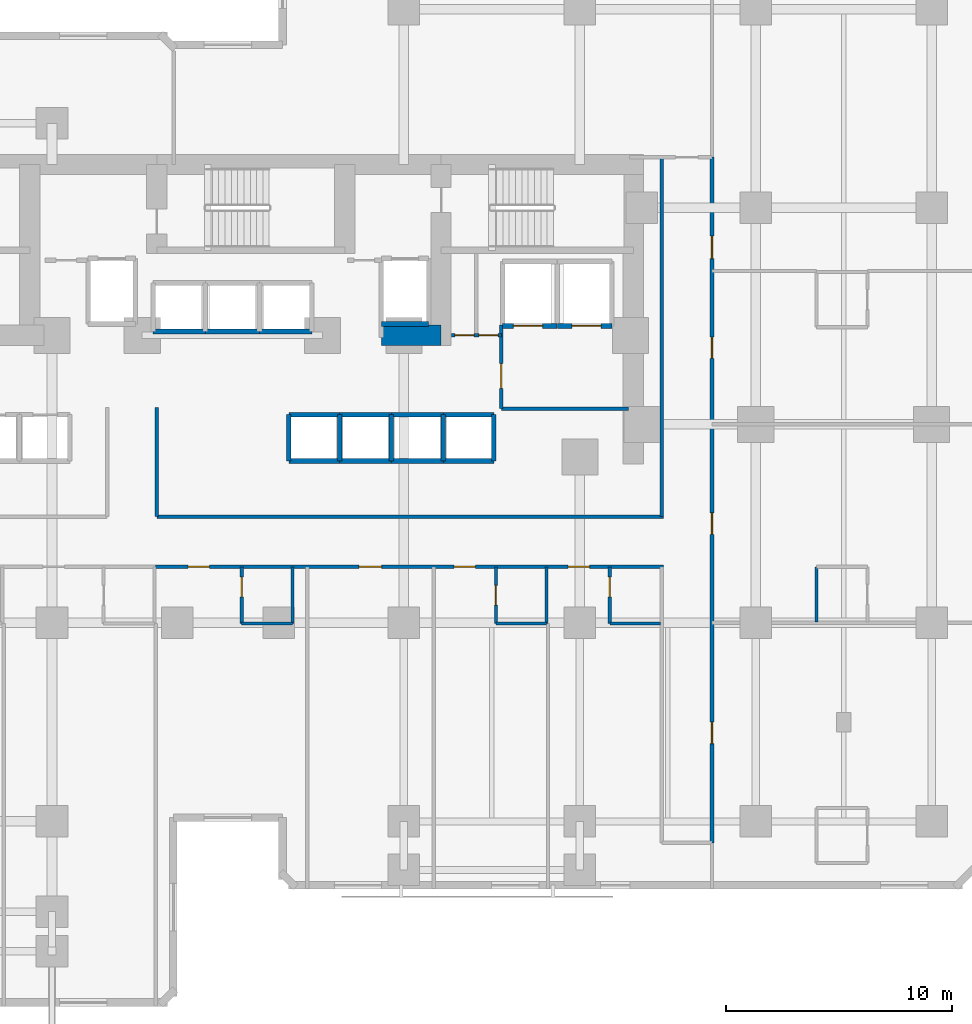
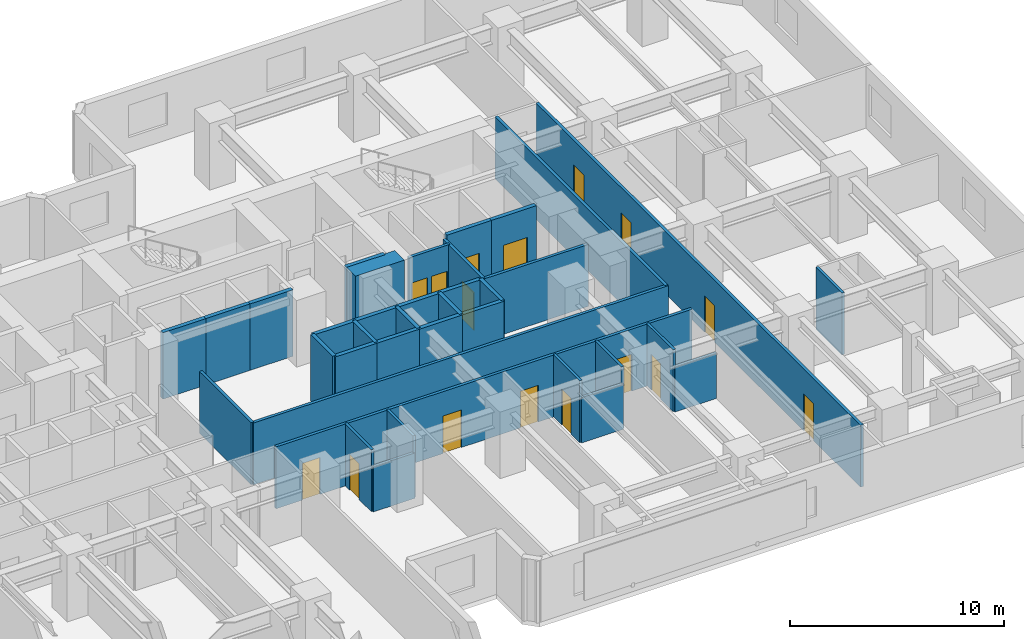
# One storey, part 7 of 12: 37 walls, 16 doors, 16 openings.
"""IFC4 building model written with IfcOpenShell, lengths in metres."""

from ifc_helpers import new_model, si_unit, direction, frame, frame_2d, origin, place, context, subcontext, project, spatial, rectangle, extrude, material, layer, layer_set, type_object, element, fill, save


model = new_model("IFC4")

# Units and contexts
model_context = context("Model", 3, precision=1e-05, world=origin(), true_north=direction((0.0, 1.0)))
body_context = subcontext(model_context, "Body", "Model", "MODEL_VIEW")
ifc_project = project(units=[si_unit("LENGTHUNIT", "METRE"), si_unit("AREAUNIT", "SQUARE_METRE"), si_unit("VOLUMEUNIT", "CUBIC_METRE"), si_unit("PLANEANGLEUNIT", "RADIAN"), si_unit("MASSUNIT", "GRAM", prefix="KILO")], contexts=[model_context])

# Site, building, storey
site_placement = place(None, origin())
site = spatial("IfcSite", under=ifc_project, at=site_placement, CompositionType="ELEMENT")
building_placement = place(site_placement, origin())
building = spatial("IfcBuilding", under=site, at=building_placement, Name="Kestravale Grand Hotel", CompositionType="ELEMENT")
storey_placement = place(building_placement, frame((0.0, 0.0, 26.0)))
storey = spatial("IfcBuildingStorey", under=building, at=storey_placement, Name="L05", CompositionType="ELEMENT", Elevation=26.0)

# Wall
ifc_material_1 = material(Name="Concrete f'c 70 MPa", Category="concrete")
ifc_layer_1 = layer(ifc_material_1, 0.89990234375)
ifc_layer_set_1 = layer_set([ifc_layer_1], Name="EW-CORE-900")
wall_type_1 = type_object("IfcWallType", Name="EW-CORE-900", PredefinedType="SHEAR", material=ifc_layer_set_1)
wall_1_placement = place(storey_placement, frame((45.81005859375, 32.75, 0.0), z_axis=(0.0, 0.0, 1.0), x_axis=(1.0, 0.0, 0.0)))
element("IfcWall", 1, at=wall_1_placement, inside=storey, type_object=wall_type_1, Name="L05 core shear wall S2", PredefinedType="SHEAR", context=body_context, shape_type="SweptSolid", body=[
    extrude(rectangle(XDim=2.639892578125, YDim=0.89990234375, at=frame_2d((1.31982421875, 0.0))), origin(), (0.0, 0.0, 1.0), 3.800048828125),
])

# Wall, opening, door
ifc_material_2 = material(Name="Acoustic fire-rated gypsum board partition", Category="other")
ifc_layer_2 = layer(ifc_material_2, 0.159912109375)
ifc_layer_set_2 = layer_set([ifc_layer_2], Name="IW-CORR-160")
wall_type_2 = type_object("IfcWallType", Name="IW-CORR-160", PredefinedType="PARTITIONING", material=ifc_layer_set_2)
wall_2_placement = place(storey_placement, frame((51.1201171875, 29.5, 0.0), z_axis=(0.0, 0.0, 1.0), x_axis=(0.0, 1.0, 0.0)))
wall_2 = element("IfcWall", 2, at=wall_2_placement, inside=storey, type_object=wall_type_2, Name="W-L05-SVCLOB-W", PredefinedType="PARTITIONING", context=body_context, shape_type="SweptSolid", body=[
    extrude(rectangle(XDim=3.699951171875, YDim=0.159912109375, at=frame_2d((1.85009765625, 0.0))), origin(), (0.0, 0.0, 1.0), 3.5400390625),
])
opening_1_placement = place(wall_2_placement, frame((0.89990234375, 0.0, 0.0)))
opening_1 = element("IfcOpeningElement", 3, at=opening_1_placement, cuts=wall_2, Name="Opening D-CORR-1100", PredefinedType="OPENING", context=body_context, shape_type="SweptSolid", body=[
    extrude(rectangle(XDim=1.10009765625, YDim=2.14990234375, at=frame_2d((0.550048828125, 1.074951171875))), frame((0.0, 0.08984375, 0.0), z_axis=(0.0, -1.0, 0.0), x_axis=(1.0, 0.0, 0.0)), (0.0, 0.0, 1.0), 0.179931640625),
])
ifc_material_3 = material(Name="Single-leaf service vestibule fire door", Category="steel")
door_type_1 = type_object("IfcDoorType", Name="D-CORR-1100", OperationType="NOTDEFINED", PredefinedType="DOOR", material=ifc_material_3)
door_1_placement = place(opening_1_placement, origin())
door_1 = element("IfcDoor", 4, at=door_1_placement, inside=storey, type_object=door_type_1, Name="L05 service lift lobby door", OperationType="SINGLE_SWING_LEFT", OverallHeight=2.14990234375, OverallWidth=1.10009765625, PredefinedType="DOOR", context=body_context, shape_type="SweptSolid", body=[
    extrude(rectangle(XDim=1.10009765625, YDim=2.14990234375, at=frame_2d((0.550048828125, 1.074951171875))), frame((0.0, 0.02490234375, 0.0), z_axis=(0.0, -1.0, 0.0), x_axis=(1.0, 0.0, 0.0)), (0.0, 0.0, 1.0), 0.050048828125),
])
fill(opening_1, door_1)

# Wall
wall_3_placement = place(storey_placement, frame((51.1201171875, 29.5, 0.0), z_axis=(0.0, 0.0, 1.0), x_axis=(1.0, 0.0, 0.0)))
element("IfcWall", 5, at=wall_3_placement, inside=storey, type_object=wall_type_2, Name="L05 service lift lobby wall", PredefinedType="PARTITIONING", context=body_context, shape_type="SweptSolid", body=[
    extrude(rectangle(XDim=5.6298828125, YDim=0.159912109375, at=frame_2d((2.81494140625, 0.0))), origin(), (0.0, 0.0, 1.0), 3.5400390625),
])

# Wall, openings, doors
wall_4_placement = place(storey_placement, frame((48.919921875, 32.75, 0.0), z_axis=(0.0, 0.0, 1.0), x_axis=(1.0, 0.0, 0.0)))
wall_4 = element("IfcWall", 6, at=wall_4_placement, inside=storey, type_object=wall_type_2, Name="W-L05-CES", PredefinedType="PARTITIONING", context=body_context, shape_type="SweptSolid", body=[
    extrude(rectangle(XDim=2.2001953125, YDim=0.159912109375, at=frame_2d((1.10009765625, 0.0))), origin(), (0.0, 0.0, 1.0), 3.5400390625),
])
opening_2_placement = place(wall_4_placement, frame((0.139892578125, 0.0, 0.0)))
opening_2 = element("IfcOpeningElement", 7, at=opening_2_placement, cuts=wall_4, Name="Opening D-SH-860", PredefinedType="OPENING", context=body_context, shape_type="SweptSolid", body=[
    extrude(rectangle(XDim=0.860107421875, YDim=2.050048828125, at=frame_2d((0.43017578125, 1.02490234375))), frame((0.0, 0.08984375, 0.0), z_axis=(0.0, -1.0, 0.0), x_axis=(1.0, 0.0, 0.0)), (0.0, 0.0, 1.0), 0.179931640625),
])
opening_3_placement = place(wall_4_placement, frame((1.199951171875, 0.0, 0.0)))
opening_3 = element("IfcOpeningElement", 8, at=opening_3_placement, cuts=wall_4, Name="Opening D-SH-860", PredefinedType="OPENING", context=body_context, shape_type="SweptSolid", body=[
    extrude(rectangle(XDim=0.860107421875, YDim=2.050048828125, at=frame_2d((0.43017578125, 1.02490234375))), frame((0.0, 0.08984375, 0.0), z_axis=(0.0, -1.0, 0.0), x_axis=(1.0, 0.0, 0.0)), (0.0, 0.0, 1.0), 0.179931640625),
])
ifc_material_4 = material(Name="Galvanised 90-minute riser fire door", Category="steel")
door_type_2 = type_object("IfcDoorType", Name="D-SH-860", OperationType="NOTDEFINED", PredefinedType="DOOR", material=ifc_material_4)
door_2_placement = place(opening_2_placement, origin())
door_2 = element("IfcDoor", 9, at=door_2_placement, inside=storey, type_object=door_type_2, Name="L05 CSTO1 door", OperationType="SINGLE_SWING_LEFT", OverallHeight=2.050048828125, OverallWidth=0.860107421875, PredefinedType="DOOR", context=body_context, shape_type="SweptSolid", body=[
    extrude(rectangle(XDim=0.860107421875, YDim=2.050048828125, at=frame_2d((0.43017578125, 1.02490234375))), frame((0.0, 0.02490234375, 0.0), z_axis=(0.0, -1.0, 0.0), x_axis=(1.0, 0.0, 0.0)), (0.0, 0.0, 1.0), 0.050048828125),
])
fill(opening_2, door_2)
door_3_placement = place(opening_3_placement, origin())
door_3 = element("IfcDoor", 10, at=door_3_placement, inside=storey, type_object=door_type_2, Name="L05 CSTO2 door", OperationType="SINGLE_SWING_RIGHT", OverallHeight=2.050048828125, OverallWidth=0.860107421875, PredefinedType="DOOR", context=body_context, shape_type="SweptSolid", body=[
    extrude(rectangle(XDim=0.860107421875, YDim=2.050048828125, at=frame_2d((0.43017578125, 1.02490234375))), frame((0.0, 0.02490234375, 0.0), z_axis=(0.0, -1.0, 0.0), x_axis=(1.0, 0.0, 0.0)), (0.0, 0.0, 1.0), 0.050048828125),
])
fill(opening_3, door_3)

# Walls
wall_5_placement = place(storey_placement, frame((35.85009765625, 24.7099609375, 0.0), z_axis=(0.0, 0.0, 1.0), x_axis=(1.0, 0.0, 0.0)))
element("IfcWall", 11, at=wall_5_placement, inside=storey, type_object=wall_type_2, Name="W-L05-CE-N", PredefinedType="PARTITIONING", context=body_context, shape_type="SweptSolid", body=[
    extrude(rectangle(XDim=22.449951171875, YDim=0.159912109375, at=frame_2d((11.22509765625, 0.0))), origin(), (0.0, 0.0, 1.0), 3.5400390625),
])
wall_6_placement = place(storey_placement, frame((35.85009765625, 24.7099609375, 0.0), z_axis=(0.0, 0.0, 1.0), x_axis=(0.0, 1.0, 0.0)))
element("IfcWall", 12, at=wall_6_placement, inside=storey, type_object=wall_type_2, Name="W-L05-TRUNK-E", PredefinedType="PARTITIONING", context=body_context, shape_type="SweptSolid", body=[
    extrude(rectangle(XDim=4.840087890625, YDim=0.159912109375, at=frame_2d((2.419921875, 0.0))), origin(), (0.0, 0.0, 1.0), 3.5400390625),
])

# Wall, openings, doors
wall_7_placement = place(storey_placement, frame((35.800048828125, 22.489990234375, 0.0), z_axis=(0.0, 0.0, 1.0), x_axis=(1.0, 0.0, 0.0)))
wall_7 = element("IfcWall", 13, at=wall_7_placement, inside=storey, type_object=wall_type_2, Name="W-L05-CE-S", PredefinedType="PARTITIONING", context=body_context, shape_type="SweptSolid", body=[
    extrude(rectangle(XDim=22.5, YDim=0.159912109375, at=frame_2d((11.25, 0.0))), origin(), (0.0, 0.0, 1.0), 3.5400390625),
])
opening_4_placement = place(wall_7_placement, frame((1.429931640625, 0.0, 0.0)))
opening_4 = element("IfcOpeningElement", 14, at=opening_4_placement, cuts=wall_7, Name="Opening D-GUEST-950", PredefinedType="OPENING", context=body_context, shape_type="SweptSolid", body=[
    extrude(rectangle(XDim=0.949951171875, YDim=2.10009765625, at=frame_2d((0.47509765625, 1.050048828125))), frame((0.0, 0.08984375, 0.0), z_axis=(0.0, -1.0, 0.0), x_axis=(1.0, 0.0, 0.0)), (0.0, 0.0, 1.0), 0.179931640625),
])
opening_5_placement = place(wall_7_placement, frame((9.014892578125, 0.0, 0.0)))
opening_5 = element("IfcOpeningElement", 15, at=opening_5_placement, cuts=wall_7, Name="Opening D-GUEST-1000", PredefinedType="OPENING", context=body_context, shape_type="SweptSolid", body=[
    extrude(rectangle(XDim=1.0, YDim=2.14990234375, at=frame_2d((0.5, 1.074951171875))), frame((0.0, 0.08984375, 0.0), z_axis=(0.0, -1.0, 0.0), x_axis=(1.0, 0.0, 0.0)), (0.0, 0.0, 1.0), 0.179931640625),
])
opening_6_placement = place(wall_7_placement, frame((13.22509765625, 0.0, 0.0)))
opening_6 = element("IfcOpeningElement", 16, at=opening_6_placement, cuts=wall_7, Name="Opening D-GUEST-950", PredefinedType="OPENING", context=body_context, shape_type="SweptSolid", body=[
    extrude(rectangle(XDim=0.949951171875, YDim=2.10009765625, at=frame_2d((0.47509765625, 1.050048828125))), frame((0.0, 0.08984375, 0.0), z_axis=(0.0, -1.0, 0.0), x_axis=(1.0, 0.0, 0.0)), (0.0, 0.0, 1.0), 0.179931640625),
])
opening_7_placement = place(wall_7_placement, frame((18.284912109375, 0.0, 0.0)))
opening_7 = element("IfcOpeningElement", 17, at=opening_7_placement, cuts=wall_7, Name="Opening D-GUEST-950", PredefinedType="OPENING", context=body_context, shape_type="SweptSolid", body=[
    extrude(rectangle(XDim=0.949951171875, YDim=2.10009765625, at=frame_2d((0.47509765625, 1.050048828125))), frame((0.0, 0.08984375, 0.0), z_axis=(0.0, -1.0, 0.0), x_axis=(1.0, 0.0, 0.0)), (0.0, 0.0, 1.0), 0.179931640625),
])
ifc_material_5 = material(Name="Accessible walnut veneer hotel entrance fire door", Category="wood")
door_type_3 = type_object("IfcDoorType", Name="D-GUEST-1000", OperationType="NOTDEFINED", PredefinedType="DOOR", material=ifc_material_5)
door_4_placement = place(opening_5_placement, origin())
door_4 = element("IfcDoor", 18, at=door_4_placement, inside=storey, type_object=door_type_3, Name="D-L05-AME", OperationType="SINGLE_SWING_RIGHT", OverallHeight=2.14990234375, OverallWidth=1.0, PredefinedType="DOOR", context=body_context, shape_type="SweptSolid", body=[
    extrude(rectangle(XDim=1.0, YDim=2.14990234375, at=frame_2d((0.5, 1.074951171875))), frame((0.0, 0.02490234375, 0.0), z_axis=(0.0, -1.0, 0.0), x_axis=(1.0, 0.0, 0.0)), (0.0, 0.0, 1.0), 0.050048828125),
])
fill(opening_5, door_4)
ifc_material_6 = material(Name="Walnut veneer hotel guestroom entrance fire door", Category="wood")
door_type_4 = type_object("IfcDoorType", Name="D-GUEST-950", OperationType="NOTDEFINED", PredefinedType="DOOR", material=ifc_material_6)
door_5_placement = place(opening_4_placement, origin())
door_5 = element("IfcDoor", 19, at=door_5_placement, inside=storey, type_object=door_type_4, Name="D-L05-U03-ENT", OperationType="SINGLE_SWING_LEFT", OverallHeight=2.10009765625, OverallWidth=0.949951171875, PredefinedType="DOOR", context=body_context, shape_type="SweptSolid", body=[
    extrude(rectangle(XDim=0.949951171875, YDim=2.10009765625, at=frame_2d((0.47509765625, 1.050048828125))), frame((0.0, 0.02490234375, 0.0), z_axis=(0.0, -1.0, 0.0), x_axis=(1.0, 0.0, 0.0)), (0.0, 0.0, 1.0), 0.050048828125),
])
fill(opening_4, door_5)
door_6_placement = place(opening_6_placement, origin())
door_6 = element("IfcDoor", 20, at=door_6_placement, inside=storey, type_object=door_type_4, Name="D-L05-U04-ENT", OperationType="SINGLE_SWING_RIGHT", OverallHeight=2.10009765625, OverallWidth=0.949951171875, PredefinedType="DOOR", context=body_context, shape_type="SweptSolid", body=[
    extrude(rectangle(XDim=0.949951171875, YDim=2.10009765625, at=frame_2d((0.47509765625, 1.050048828125))), frame((0.0, 0.02490234375, 0.0), z_axis=(0.0, -1.0, 0.0), x_axis=(1.0, 0.0, 0.0)), (0.0, 0.0, 1.0), 0.050048828125),
])
fill(opening_6, door_6)
door_7_placement = place(opening_7_placement, origin())
door_7 = element("IfcDoor", 21, at=door_7_placement, inside=storey, type_object=door_type_4, Name="D-L05-U05-ENT", OperationType="SINGLE_SWING_RIGHT", OverallHeight=2.10009765625, OverallWidth=0.949951171875, PredefinedType="DOOR", context=body_context, shape_type="SweptSolid", body=[
    extrude(rectangle(XDim=0.949951171875, YDim=2.10009765625, at=frame_2d((0.47509765625, 1.050048828125))), frame((0.0, 0.02490234375, 0.0), z_axis=(0.0, -1.0, 0.0), x_axis=(1.0, 0.0, 0.0)), (0.0, 0.0, 1.0), 0.050048828125),
])
fill(opening_7, door_7)

wall_8_placement = place(storey_placement, frame((60.4599609375, 10.25, 0.0), z_axis=(0.0, 0.0, 1.0), x_axis=(0.0, 1.0, 0.0)))
wall_8 = element("IfcWall", 22, at=wall_8_placement, inside=storey, type_object=wall_type_2, Name="W-L05-SE-E", PredefinedType="PARTITIONING", context=body_context, shape_type="SweptSolid", body=[
    extrude(rectangle(XDim=30.39990234375, YDim=0.159912109375, at=frame_2d((15.199951171875, 0.0))), origin(), (0.0, 0.0, 1.0), 3.5400390625),
])
opening_8_placement = place(wall_8_placement, frame((4.39990234375, 0.0, 0.0)))
opening_8 = element("IfcOpeningElement", 23, at=opening_8_placement, cuts=wall_8, Name="Opening D-GUEST-950", PredefinedType="OPENING", context=body_context, shape_type="SweptSolid", body=[
    extrude(rectangle(XDim=0.949951171875, YDim=2.10009765625, at=frame_2d((0.47509765625, 1.050048828125))), frame((0.0, 0.08984375, 0.0), z_axis=(0.0, -1.0, 0.0), x_axis=(1.0, 0.0, 0.0)), (0.0, 0.0, 1.0), 0.179931640625),
])
opening_9_placement = place(wall_8_placement, frame((13.675048828125, 0.0, 0.0)))
opening_9 = element("IfcOpeningElement", 24, at=opening_9_placement, cuts=wall_8, Name="Opening D-GUEST-950", PredefinedType="OPENING", context=body_context, shape_type="SweptSolid", body=[
    extrude(rectangle(XDim=0.949951171875, YDim=2.10009765625, at=frame_2d((0.47509765625, 1.050048828125))), frame((0.0, 0.08984375, 0.0), z_axis=(0.0, -1.0, 0.0), x_axis=(1.0, 0.0, 0.0)), (0.0, 0.0, 1.0), 0.179931640625),
])
opening_10_placement = place(wall_8_placement, frame((21.47509765625, 0.0, 0.0)))
opening_10 = element("IfcOpeningElement", 25, at=opening_10_placement, cuts=wall_8, Name="Opening D-GUEST-950", PredefinedType="OPENING", context=body_context, shape_type="SweptSolid", body=[
    extrude(rectangle(XDim=0.949951171875, YDim=2.10009765625, at=frame_2d((0.47509765625, 1.050048828125))), frame((0.0, 0.08984375, 0.0), z_axis=(0.0, -1.0, 0.0), x_axis=(1.0, 0.0, 0.0)), (0.0, 0.0, 1.0), 0.179931640625),
])
opening_11_placement = place(wall_8_placement, frame((25.89990234375, 0.0, 0.0)))
opening_11 = element("IfcOpeningElement", 26, at=opening_11_placement, cuts=wall_8, Name="Opening D-GUEST-1000", PredefinedType="OPENING", context=body_context, shape_type="SweptSolid", body=[
    extrude(rectangle(XDim=1.0, YDim=2.14990234375, at=frame_2d((0.5, 1.074951171875))), frame((0.0, 0.08984375, 0.0), z_axis=(0.0, -1.0, 0.0), x_axis=(1.0, 0.0, 0.0)), (0.0, 0.0, 1.0), 0.179931640625),
])
door_8_placement = place(opening_11_placement, origin())
door_8 = element("IfcDoor", 27, at=door_8_placement, inside=storey, type_object=door_type_3, Name="D-L05-AMEW", OperationType="SINGLE_SWING_RIGHT", OverallHeight=2.14990234375, OverallWidth=1.0, PredefinedType="DOOR", context=body_context, shape_type="SweptSolid", body=[
    extrude(rectangle(XDim=1.0, YDim=2.14990234375, at=frame_2d((0.5, 1.074951171875))), frame((0.0, 0.02490234375, 0.0), z_axis=(0.0, -1.0, 0.0), x_axis=(1.0, 0.0, 0.0)), (0.0, 0.0, 1.0), 0.050048828125),
])
fill(opening_11, door_8)
door_9_placement = place(opening_8_placement, origin())
door_9 = element("IfcDoor", 28, at=door_9_placement, inside=storey, type_object=door_type_4, Name="D-L05-U10-ENT", OperationType="SINGLE_SWING_LEFT", OverallHeight=2.10009765625, OverallWidth=0.949951171875, PredefinedType="DOOR", context=body_context, shape_type="SweptSolid", body=[
    extrude(rectangle(XDim=0.949951171875, YDim=2.10009765625, at=frame_2d((0.47509765625, 1.050048828125))), frame((0.0, 0.02490234375, 0.0), z_axis=(0.0, -1.0, 0.0), x_axis=(1.0, 0.0, 0.0)), (0.0, 0.0, 1.0), 0.050048828125),
])
fill(opening_8, door_9)
door_10_placement = place(opening_9_placement, origin())
door_10 = element("IfcDoor", 29, at=door_10_placement, inside=storey, type_object=door_type_4, Name="D-L05-U11-ENT", OperationType="SINGLE_SWING_LEFT", OverallHeight=2.10009765625, OverallWidth=0.949951171875, PredefinedType="DOOR", context=body_context, shape_type="SweptSolid", body=[
    extrude(rectangle(XDim=0.949951171875, YDim=2.10009765625, at=frame_2d((0.47509765625, 1.050048828125))), frame((0.0, 0.02490234375, 0.0), z_axis=(0.0, -1.0, 0.0), x_axis=(1.0, 0.0, 0.0)), (0.0, 0.0, 1.0), 0.050048828125),
])
fill(opening_9, door_10)
door_11_placement = place(opening_10_placement, origin())
door_11 = element("IfcDoor", 30, at=door_11_placement, inside=storey, type_object=door_type_4, Name="D-L05-U12-ENT", OperationType="SINGLE_SWING_LEFT", OverallHeight=2.10009765625, OverallWidth=0.949951171875, PredefinedType="DOOR", context=body_context, shape_type="SweptSolid", body=[
    extrude(rectangle(XDim=0.949951171875, YDim=2.10009765625, at=frame_2d((0.47509765625, 1.050048828125))), frame((0.0, 0.02490234375, 0.0), z_axis=(0.0, -1.0, 0.0), x_axis=(1.0, 0.0, 0.0)), (0.0, 0.0, 1.0), 0.050048828125),
])
fill(opening_10, door_11)

# Wall
wall_9_placement = place(storey_placement, frame((58.239990234375, 24.7099609375, 0.0), z_axis=(0.0, 0.0, 1.0), x_axis=(0.0, 1.0, 0.0)))
element("IfcWall", 31, at=wall_9_placement, inside=storey, type_object=wall_type_2, Name="W-L05-SE-WU", PredefinedType="PARTITIONING", context=body_context, shape_type="SweptSolid", body=[
    extrude(rectangle(XDim=15.93994140625, YDim=0.159912109375, at=frame_2d((7.969970703125, 0.0))), origin(), (0.0, 0.0, 1.0), 3.5400390625),
])

# Wall, opening, door
ifc_material_7 = material(Name="Moisture-resistant tile-backer plumbing chase wall", Category="other")
ifc_layer_3 = layer(ifc_material_7, 0.139892578125)
ifc_layer_set_3 = layer_set([ifc_layer_3], Name="IW-PLB-140")
wall_type_3 = type_object("IfcWallType", Name="IW-PLB-140", PredefinedType="PLUMBINGWALL", material=ifc_layer_set_3)
wall_10_placement = place(storey_placement, frame((39.610107421875, 19.97998046875, 0.0), z_axis=(0.0, 0.0, 1.0), x_axis=(0.0, 1.0, 0.0)))
wall_10 = element("IfcWall", 32, at=wall_10_placement, inside=storey, type_object=wall_type_3, Name="W-L05-U03-BW", PredefinedType="PLUMBINGWALL", context=body_context, shape_type="SweptSolid", body=[
    extrude(rectangle(XDim=2.489990234375, YDim=0.139892578125, at=frame_2d((1.2451171875, 0.0))), origin(), (0.0, 0.0, 1.0), 3.5400390625),
])
opening_12_placement = place(wall_10_placement, frame((1.169921875, 0.0, 0.0)))
opening_12 = element("IfcOpeningElement", 33, at=opening_12_placement, cuts=wall_10, Name="Opening D-BATH-880", PredefinedType="OPENING", context=body_context, shape_type="SweptSolid", body=[
    extrude(rectangle(XDim=0.8798828125, YDim=2.050048828125, at=frame_2d((0.43994140625, 1.02490234375))), frame((0.0, 0.079833984375, 0.0), z_axis=(0.0, -1.0, 0.0), x_axis=(1.0, 0.0, 0.0)), (0.0, 0.0, 1.0), 0.159912109375),
])
ifc_material_8 = material(Name="Moisture-sealed walnut en-suite bathroom door", Category="wood")
door_type_5 = type_object("IfcDoorType", Name="D-BATH-880", OperationType="NOTDEFINED", PredefinedType="DOOR", material=ifc_material_8)
door_12_placement = place(opening_12_placement, origin())
door_12 = element("IfcDoor", 34, at=door_12_placement, inside=storey, type_object=door_type_5, Name="D-L05-U03-BATH", OperationType="SINGLE_SWING_RIGHT", OverallHeight=2.050048828125, OverallWidth=0.8798828125, PredefinedType="DOOR", context=body_context, shape_type="SweptSolid", body=[
    extrude(rectangle(XDim=0.8798828125, YDim=2.050048828125, at=frame_2d((0.43994140625, 1.02490234375))), frame((0.0, 0.02490234375, 0.0), z_axis=(0.0, -1.0, 0.0), x_axis=(1.0, 0.0, 0.0)), (0.0, 0.0, 1.0), 0.050048828125),
])
fill(opening_12, door_12)

# Walls
wall_11_placement = place(storey_placement, frame((41.860107421875, 19.97998046875, 0.0), z_axis=(0.0, 0.0, 1.0), x_axis=(0.0, 1.0, 0.0)))
element("IfcWall", 35, at=wall_11_placement, inside=storey, type_object=wall_type_3, Name="W-L05-U03-BE", PredefinedType="PLUMBINGWALL", context=body_context, shape_type="SweptSolid", body=[
    extrude(rectangle(XDim=2.489990234375, YDim=0.139892578125, at=frame_2d((1.2451171875, 0.0))), origin(), (0.0, 0.0, 1.0), 3.5400390625),
])
wall_12_placement = place(storey_placement, frame((39.610107421875, 19.97998046875, 0.0), z_axis=(0.0, 0.0, 1.0), x_axis=(1.0, 0.0, 0.0)))
element("IfcWall", 36, at=wall_12_placement, inside=storey, type_object=wall_type_3, Name="W-L05-U03-BS", PredefinedType="PLUMBINGWALL", context=body_context, shape_type="SweptSolid", body=[
    extrude(rectangle(XDim=2.25, YDim=0.139892578125, at=frame_2d((1.125, 0.0))), origin(), (0.0, 0.0, 1.0), 2.593017578125),
])

# Wall, opening, door
wall_13_placement = place(storey_placement, frame((50.8798828125, 19.97998046875, 0.0), z_axis=(0.0, 0.0, 1.0), x_axis=(0.0, 1.0, 0.0)))
wall_13 = element("IfcWall", 37, at=wall_13_placement, inside=storey, type_object=wall_type_3, Name="W-L05-U04-BW", PredefinedType="PLUMBINGWALL", context=body_context, shape_type="SweptSolid", body=[
    extrude(rectangle(XDim=2.489990234375, YDim=0.139892578125, at=frame_2d((1.2451171875, 0.0))), origin(), (0.0, 0.0, 1.0), 3.5400390625),
])
opening_13_placement = place(wall_13_placement, frame((0.804931640625, 0.0, 0.0)))
opening_13 = element("IfcOpeningElement", 38, at=opening_13_placement, cuts=wall_13, Name="Opening D-BATH-880", PredefinedType="OPENING", context=body_context, shape_type="SweptSolid", body=[
    extrude(rectangle(XDim=0.8798828125, YDim=2.050048828125, at=frame_2d((0.43994140625, 1.02490234375))), frame((0.0, 0.079833984375, 0.0), z_axis=(0.0, -1.0, 0.0), x_axis=(1.0, 0.0, 0.0)), (0.0, 0.0, 1.0), 0.159912109375),
])
door_13_placement = place(opening_13_placement, origin())
door_13 = element("IfcDoor", 39, at=door_13_placement, inside=storey, type_object=door_type_5, Name="D-L05-U04-BATH", OperationType="SINGLE_SWING_LEFT", OverallHeight=2.050048828125, OverallWidth=0.8798828125, PredefinedType="DOOR", context=body_context, shape_type="SweptSolid", body=[
    extrude(rectangle(XDim=0.8798828125, YDim=2.050048828125, at=frame_2d((0.43994140625, 1.02490234375))), frame((0.0, 0.02490234375, 0.0), z_axis=(0.0, -1.0, 0.0), x_axis=(1.0, 0.0, 0.0)), (0.0, 0.0, 1.0), 0.050048828125),
])
fill(opening_13, door_13)

# Walls
wall_14_placement = place(storey_placement, frame((53.1298828125, 19.97998046875, 0.0), z_axis=(0.0, 0.0, 1.0), x_axis=(0.0, 1.0, 0.0)))
element("IfcWall", 40, at=wall_14_placement, inside=storey, type_object=wall_type_3, Name="W-L05-U04-BE", PredefinedType="PLUMBINGWALL", context=body_context, shape_type="SweptSolid", body=[
    extrude(rectangle(XDim=2.489990234375, YDim=0.139892578125, at=frame_2d((1.2451171875, 0.0))), origin(), (0.0, 0.0, 1.0), 3.5400390625),
])
wall_15_placement = place(storey_placement, frame((50.8798828125, 19.97998046875, 0.0), z_axis=(0.0, 0.0, 1.0), x_axis=(1.0, 0.0, 0.0)))
element("IfcWall", 41, at=wall_15_placement, inside=storey, type_object=wall_type_3, Name="W-L05-U04-BS", PredefinedType="PLUMBINGWALL", context=body_context, shape_type="SweptSolid", body=[
    extrude(rectangle(XDim=2.25, YDim=0.139892578125, at=frame_2d((1.125, 0.0))), origin(), (0.0, 0.0, 1.0), 2.593017578125),
])

# Wall, opening, door
wall_16_placement = place(storey_placement, frame((55.929931640625, 19.97998046875, 0.0), z_axis=(0.0, 0.0, 1.0), x_axis=(0.0, 1.0, 0.0)))
wall_16 = element("IfcWall", 42, at=wall_16_placement, inside=storey, type_object=wall_type_3, Name="W-L05-U05-BW", PredefinedType="PLUMBINGWALL", context=body_context, shape_type="SweptSolid", body=[
    extrude(rectangle(XDim=2.489990234375, YDim=0.139892578125, at=frame_2d((1.2451171875, 0.0))), origin(), (0.0, 0.0, 1.0), 3.5400390625),
])
opening_14_placement = place(wall_16_placement, frame((1.169921875, 0.0, 0.0)))
opening_14 = element("IfcOpeningElement", 43, at=opening_14_placement, cuts=wall_16, Name="Opening D-BATH-880", PredefinedType="OPENING", context=body_context, shape_type="SweptSolid", body=[
    extrude(rectangle(XDim=0.8798828125, YDim=2.050048828125, at=frame_2d((0.43994140625, 1.02490234375))), frame((0.0, 0.079833984375, 0.0), z_axis=(0.0, -1.0, 0.0), x_axis=(1.0, 0.0, 0.0)), (0.0, 0.0, 1.0), 0.159912109375),
])
door_14_placement = place(opening_14_placement, origin())
door_14 = element("IfcDoor", 44, at=door_14_placement, inside=storey, type_object=door_type_5, Name="D-L05-U05-BATH", OperationType="SINGLE_SWING_LEFT", OverallHeight=2.050048828125, OverallWidth=0.8798828125, PredefinedType="DOOR", context=body_context, shape_type="SweptSolid", body=[
    extrude(rectangle(XDim=0.8798828125, YDim=2.050048828125, at=frame_2d((0.43994140625, 1.02490234375))), frame((0.0, 0.02490234375, 0.0), z_axis=(0.0, -1.0, 0.0), x_axis=(1.0, 0.0, 0.0)), (0.0, 0.0, 1.0), 0.050048828125),
])
fill(opening_14, door_14)

# Walls
wall_17_placement = place(storey_placement, frame((55.929931640625, 19.97998046875, 0.0), z_axis=(0.0, 0.0, 1.0), x_axis=(1.0, 0.0, 0.0)))
element("IfcWall", 45, at=wall_17_placement, inside=storey, type_object=wall_type_3, Name="W-L05-U05-BS", PredefinedType="PLUMBINGWALL", context=body_context, shape_type="SweptSolid", body=[
    extrude(rectangle(XDim=2.25, YDim=0.139892578125, at=frame_2d((1.125, 0.0))), origin(), (0.0, 0.0, 1.0), 2.593017578125),
])
wall_18_placement = place(storey_placement, frame((65.10009765625, 20.0400390625, 0.0), z_axis=(0.0, 0.0, 1.0), x_axis=(0.0, 1.0, 0.0)))
element("IfcWall", 46, at=wall_18_placement, inside=storey, type_object=wall_type_3, Name="W-L05-U11-BW", PredefinedType="PLUMBINGWALL", context=body_context, shape_type="SweptSolid", body=[
    extrude(rectangle(XDim=2.449951171875, YDim=0.139892578125, at=frame_2d((1.22509765625, 0.0))), origin(), (0.0, 0.0, 1.0), 3.5400390625),
])
ifc_material_9 = material(Name="Concrete f'c 45 MPa", Category="concrete")
ifc_layer_4 = layer(ifc_material_9, 0.199951171875)
ifc_layer_set_4 = layer_set([ifc_layer_4], Name="IW-SHAFT-200")
wall_type_4 = type_object("IfcWallType", Name="IW-SHAFT-200", PredefinedType="SHEAR", material=ifc_layer_set_4)
for number, where, z_axis, x_axis, name in (
    (47, (41.705078125, 27.169921875, 0.0), (0.0, 0.0, 1.0), (0.0, 1.0, 0.0), "L05 PL-M1 west shaft wall"),
    (48, (43.949951171875, 27.169921875, 0.0), (0.0, 0.0, 1.0), (0.0, 1.0, 0.0), "L05 PL-M2 west shaft wall"),
    (49, (46.25, 27.169921875, 0.0), (0.0, 0.0, 1.0), (0.0, 1.0, 0.0), "L05 PL-M3 west shaft wall"),
    (50, (48.550048828125, 27.169921875, 0.0), (0.0, 0.0, 1.0), (0.0, 1.0, 0.0), "L05 PL-M4 west shaft wall"),
    (51, (50.794921875, 27.169921875, 0.0), (0.0, 0.0, 1.0), (0.0, 1.0, 0.0), "L05 PL-M4 east shaft wall"),
):
    element("IfcWall", number, at=place(storey_placement, frame(where, z_axis=z_axis, x_axis=x_axis)), inside=storey, type_object=wall_type_4, Name=name, PredefinedType="SHEAR", context=body_context, shape_type="SweptSolid", body=[
        extrude(rectangle(XDim=2.06005859375, YDim=0.199951171875, at=frame_2d((1.030029296875, 0.0))), origin(), (0.0, 0.0, 1.0), 3.800048828125),
    ])
ifc_material_10 = material(Name="Concrete f'c 45 MPa", Category="concrete")
ifc_layer_5 = layer(ifc_material_10, 0.219970703125)
ifc_layer_set_5 = layer_set([ifc_layer_5], Name="IW-SHAFT-220")
wall_type_5 = type_object("IfcWallType", Name="IW-SHAFT-220", PredefinedType="SHEAR", material=ifc_layer_set_5)
for number, where, z_axis, x_axis, name in (
    (52, (41.705078125, 29.22998046875, 0.0), (0.0, 0.0, 1.0), (1.0, 0.0, 0.0), "L05 PL-M1 north shaft wall"),
    (53, (41.705078125, 27.169921875, 0.0), (0.0, 0.0, 1.0), (1.0, 0.0, 0.0), "L05 PL-M1 south shaft wall"),
):
    element("IfcWall", number, at=place(storey_placement, frame(where, z_axis=z_axis, x_axis=x_axis)), inside=storey, type_object=wall_type_5, Name=name, PredefinedType="SHEAR", context=body_context, shape_type="SweptSolid", body=[
        extrude(rectangle(XDim=2.244873046875, YDim=0.219970703125, at=frame_2d((1.12255859375, 0.0))), origin(), (0.0, 0.0, 1.0), 3.800048828125),
    ])
for number, where, z_axis, x_axis, name in (
    (54, (43.949951171875, 29.22998046875, 0.0), (0.0, 0.0, 1.0), (1.0, 0.0, 0.0), "L05 PL-M2 north shaft wall"),
    (55, (43.949951171875, 27.169921875, 0.0), (0.0, 0.0, 1.0), (1.0, 0.0, 0.0), "L05 PL-M2 south shaft wall"),
    (56, (46.25, 29.22998046875, 0.0), (0.0, 0.0, 1.0), (1.0, 0.0, 0.0), "L05 PL-M3 north shaft wall"),
    (57, (46.25, 27.169921875, 0.0), (0.0, 0.0, 1.0), (1.0, 0.0, 0.0), "L05 PL-M3 south shaft wall"),
):
    element("IfcWall", number, at=place(storey_placement, frame(where, z_axis=z_axis, x_axis=x_axis)), inside=storey, type_object=wall_type_5, Name=name, PredefinedType="SHEAR", context=body_context, shape_type="SweptSolid", body=[
        extrude(rectangle(XDim=2.300048828125, YDim=0.219970703125, at=frame_2d((1.14990234375, 0.0))), origin(), (0.0, 0.0, 1.0), 3.800048828125),
    ])
for number, where, z_axis, x_axis, name in (
    (58, (48.550048828125, 29.22998046875, 0.0), (0.0, 0.0, 1.0), (1.0, 0.0, 0.0), "L05 PL-M4 north shaft wall"),
    (59, (48.550048828125, 27.169921875, 0.0), (0.0, 0.0, 1.0), (1.0, 0.0, 0.0), "L05 PL-M4 south shaft wall"),
):
    element("IfcWall", number, at=place(storey_placement, frame(where, z_axis=z_axis, x_axis=x_axis)), inside=storey, type_object=wall_type_5, Name=name, PredefinedType="SHEAR", context=body_context, shape_type="SweptSolid", body=[
        extrude(rectangle(XDim=2.244873046875, YDim=0.219970703125, at=frame_2d((1.12255859375, 0.0))), origin(), (0.0, 0.0, 1.0), 3.800048828125),
    ])
wall_19_placement = place(storey_placement, frame((35.679931640625, 32.919921875, 0.0), z_axis=(0.0, 0.0, 1.0), x_axis=(1.0, 0.0, 0.0)))
element("IfcWall", 60, at=wall_19_placement, inside=storey, type_object=wall_type_5, Name="L05 PL-X1 south shaft wall", PredefinedType="SHEAR", context=body_context, shape_type="SweptSolid", body=[
    extrude(rectangle(XDim=2.320068359375, YDim=0.219970703125, at=frame_2d((1.16015625, 0.0))), origin(), (0.0, 0.0, 1.0), 3.800048828125),
])
wall_20_placement = place(storey_placement, frame((38.0, 32.919921875, 0.0), z_axis=(0.0, 0.0, 1.0), x_axis=(1.0, 0.0, 0.0)))
element("IfcWall", 61, at=wall_20_placement, inside=storey, type_object=wall_type_5, Name="L05 PL-X2 south shaft wall", PredefinedType="SHEAR", context=body_context, shape_type="SweptSolid", body=[
    extrude(rectangle(XDim=2.39990234375, YDim=0.219970703125, at=frame_2d((1.199951171875, 0.0))), origin(), (0.0, 0.0, 1.0), 3.800048828125),
])
wall_21_placement = place(storey_placement, frame((40.39990234375, 32.919921875, 0.0), z_axis=(0.0, 0.0, 1.0), x_axis=(1.0, 0.0, 0.0)))
element("IfcWall", 62, at=wall_21_placement, inside=storey, type_object=wall_type_5, Name="L05 PL-X3 south shaft wall", PredefinedType="SHEAR", context=body_context, shape_type="SweptSolid", body=[
    extrude(rectangle(XDim=2.320068359375, YDim=0.219970703125, at=frame_2d((1.16015625, 0.0))), origin(), (0.0, 0.0, 1.0), 3.800048828125),
])

# Wall, opening, door
wall_22_placement = place(storey_placement, frame((51.179931640625, 33.169921875, 0.0), z_axis=(0.0, 0.0, 1.0), x_axis=(1.0, 0.0, 0.0)))
wall_22 = element("IfcWall", 63, at=wall_22_placement, inside=storey, type_object=wall_type_5, Name="L05 SL-1 south shaft wall", PredefinedType="SHEAR", context=body_context, shape_type="SweptSolid", body=[
    extrude(rectangle(XDim=2.420166015625, YDim=0.219970703125, at=frame_2d((1.2099609375, 0.0))), origin(), (0.0, 0.0, 1.0), 3.800048828125),
])
opening_15_placement = place(wall_22_placement, frame((0.469970703125, 0.0, 0.0)))
opening_15 = element("IfcOpeningElement", 64, at=opening_15_placement, cuts=wall_22, Name="Opening LD-SVC-1300", PredefinedType="OPENING", context=body_context, shape_type="SweptSolid", body=[
    extrude(rectangle(XDim=1.300048828125, YDim=2.14990234375, at=frame_2d((0.64990234375, 1.074951171875))), frame((0.0, 0.119873046875, 0.0), z_axis=(0.0, -1.0, 0.0), x_axis=(1.0, 0.0, 0.0)), (0.0, 0.0, 1.0), 0.239990234375),
])
ifc_material_11 = material(Name="Heavy-duty service sliding elevator landing door", Category="steel")
door_type_6 = type_object("IfcDoorType", Name="LD-SVC-1300", OperationType="NOTDEFINED", PredefinedType="DOOR", material=ifc_material_11)
door_15_placement = place(opening_15_placement, origin())
door_15 = element("IfcDoor", 65, at=door_15_placement, inside=storey, type_object=door_type_6, Name="L05 SL-1 elevator landing sliding door", OperationType="DOUBLE_DOOR_SLIDING", OverallHeight=2.14990234375, OverallWidth=1.300048828125, PredefinedType="DOOR", context=body_context, shape_type="SweptSolid", body=[
    extrude(rectangle(XDim=1.300048828125, YDim=2.14990234375, at=frame_2d((0.64990234375, 1.074951171875))), frame((0.0, 0.02490234375, 0.0), z_axis=(0.0, -1.0, 0.0), x_axis=(1.0, 0.0, 0.0)), (0.0, 0.0, 1.0), 0.050048828125),
])
fill(opening_15, door_15)

wall_23_placement = place(storey_placement, frame((53.60009765625, 33.169921875, 0.0), z_axis=(0.0, 0.0, 1.0), x_axis=(1.0, 0.0, 0.0)))
wall_23 = element("IfcWall", 66, at=wall_23_placement, inside=storey, type_object=wall_type_5, Name="L05 SL-2 south shaft wall", PredefinedType="SHEAR", context=body_context, shape_type="SweptSolid", body=[
    extrude(rectangle(XDim=2.419921875, YDim=0.219970703125, at=frame_2d((1.2099609375, 0.0))), origin(), (0.0, 0.0, 1.0), 3.800048828125),
])
opening_16_placement = place(wall_23_placement, frame((0.64990234375, 0.0, 0.0)))
opening_16 = element("IfcOpeningElement", 67, at=opening_16_placement, cuts=wall_23, Name="Opening LD-SVC-1300", PredefinedType="OPENING", context=body_context, shape_type="SweptSolid", body=[
    extrude(rectangle(XDim=1.300048828125, YDim=2.14990234375, at=frame_2d((0.64990234375, 1.074951171875))), frame((0.0, 0.119873046875, 0.0), z_axis=(0.0, -1.0, 0.0), x_axis=(1.0, 0.0, 0.0)), (0.0, 0.0, 1.0), 0.239990234375),
])
door_16_placement = place(opening_16_placement, origin())
door_16 = element("IfcDoor", 68, at=door_16_placement, inside=storey, type_object=door_type_6, Name="L05 SL-2 elevator landing sliding door", OperationType="DOUBLE_DOOR_SLIDING", OverallHeight=2.14990234375, OverallWidth=1.300048828125, PredefinedType="DOOR", context=body_context, shape_type="SweptSolid", body=[
    extrude(rectangle(XDim=1.300048828125, YDim=2.14990234375, at=frame_2d((0.64990234375, 1.074951171875))), frame((0.0, 0.02490234375, 0.0), z_axis=(0.0, -1.0, 0.0), x_axis=(1.0, 0.0, 0.0)), (0.0, 0.0, 1.0), 0.050048828125),
])
fill(opening_16, door_16)

# Wall
wall_24_placement = place(storey_placement, frame((45.804931640625, 33.2451171875, 0.0), z_axis=(0.0, 0.0, 1.0), x_axis=(1.0, 0.0, 0.0)))
element("IfcWall", 69, at=wall_24_placement, inside=storey, type_object=wall_type_5, Name="L05 FL-2 south shaft wall", PredefinedType="SHEAR", context=body_context, shape_type="SweptSolid", body=[
    extrude(rectangle(XDim=2.090087890625, YDim=0.219970703125, at=frame_2d((1.044921875, 0.0))), origin(), (0.0, 0.0, 1.0), 3.800048828125),
])

save(model, "model.ifc")
